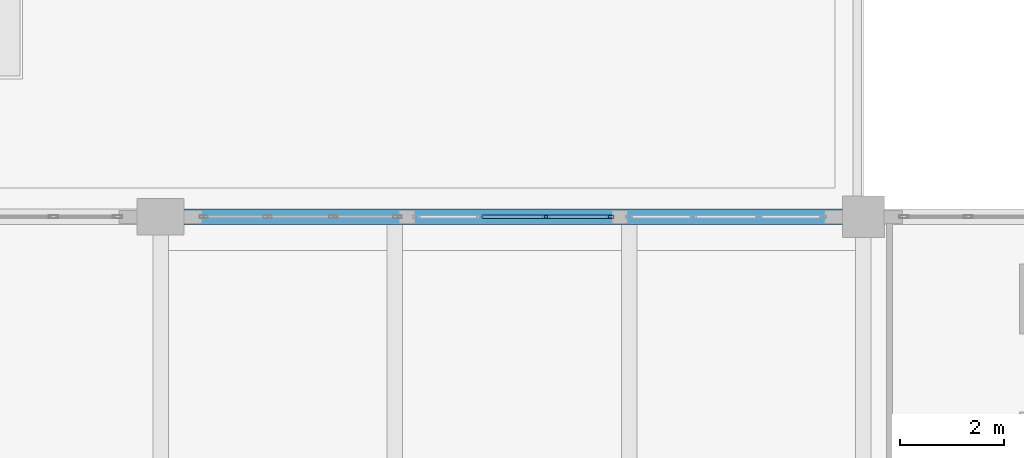
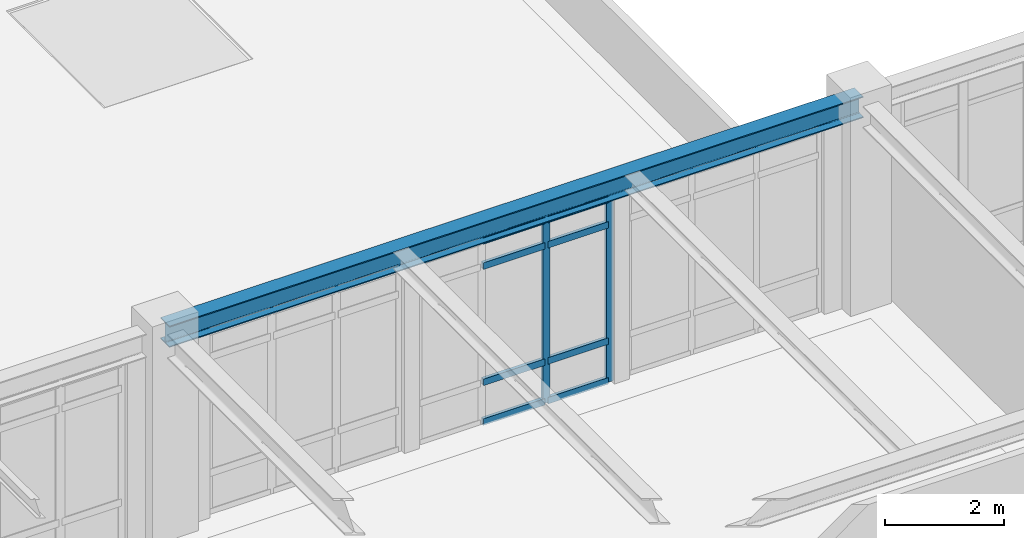
# One storey, part 31 of 55: 10 members, 1 beam, 1 element without a shape of its own.
"""IFC4 building model written with IfcOpenShell, lengths in metres."""

from ifc_helpers import new_model, si_unit, direction, frame, origin, origin_2d, place, context, subcontext, project, spatial, hollow_rectangle, i_section, extrude, material, layer, layer_set, material_profile, profile_set, type_object, element, aggregate, save


model = new_model("IFC4")

# Units and contexts
model_context = context("Model", 3, precision=1e-05, world=origin(), true_north=direction((0.0, 1.0)))
body_context = subcontext(model_context, "Body", "Model", "MODEL_VIEW")
ifc_project = project(units=[si_unit("LENGTHUNIT", "METRE"), si_unit("AREAUNIT", "SQUARE_METRE"), si_unit("VOLUMEUNIT", "CUBIC_METRE"), si_unit("PLANEANGLEUNIT", "RADIAN"), si_unit("MASSUNIT", "GRAM", prefix="KILO")], contexts=[model_context])

# Site, building, storey
site_placement = place(None, origin())
site = spatial("IfcSite", under=ifc_project, at=site_placement, CompositionType="ELEMENT")
building_placement = place(site_placement, origin())
building = spatial("IfcBuilding", under=site, at=building_placement, Name="Fikremerkos Civic Library", CompositionType="ELEMENT")
storey_placement = place(building_placement, frame((0.0, 0.0, 18.89990234375)))
storey = spatial("IfcBuildingStorey", under=building, at=storey_placement, Name="L04", CompositionType="ELEMENT", Elevation=18.89990234375)

# Curtain wall, members
ifc_material_1 = material(Name="Anodized aluminium Frame", Category="aluminium")
ifc_layer = layer(ifc_material_1, 0.159912109375, Name="Anodized aluminium Frame")
ifc_layer_set = layer_set([ifc_layer], Name="Anodized aluminium Frame")
curtain_wall_type = type_object("IfcCurtainWallType", Name="Unitised curtain wall CW-11 3200x3400", PredefinedType="USERDEFINED", material=ifc_layer_set)
curtain_wall_placement = place(storey_placement, origin())
curtain_wall = element("IfcCurtainWall", 1, at=curtain_wall_placement, inside=storey, type_object=curtain_wall_type, Name="Unitised curtain wall CW-11 L04 #245", ObjectType="UNITISED CURTAIN WALL", PredefinedType="USERDEFINED")
ifc_material_profile_1 = material_profile(ifc_material_1, hollow_rectangle(XDim=0.06005859375, YDim=0.139892578125, WallThickness=0.00390625, at=origin_2d()), Name="ALU 140x60x4")
ifc_profile_set_1 = profile_set([ifc_material_profile_1], Name="Anodized aluminium Frame")
member_type_1 = type_object("IfcMemberType", Name="Curtain mullion CWM-03 ALU 140x60x4", PredefinedType="MULLION", material=ifc_profile_set_1)
member_1_placement = place(storey_placement, frame((94.105712890625, 31.199951171875, 0.0), z_axis=(0.0, 0.0, 1.0), x_axis=(0.0, 1.0, 0.0)))
member_1 = element("IfcMember", 2, at=member_1_placement, type_object=member_type_1, Name="CW-11 mullion 3", PredefinedType="MULLION", context=body_context, shape_type="SweptSolid", body=[
    extrude(hollow_rectangle(XDim=0.06005859375, YDim=0.139892578125, WallThickness=0.00390625, at=origin_2d()), origin(), (0.0, 0.0, 1.0), 3.7900390625),
])
member_2_placement = place(storey_placement, frame((95.33740234375, 31.199951171875, 0.0), z_axis=(0.0, 0.0, 1.0), x_axis=(0.0, 1.0, 0.0)))
member_2 = element("IfcMember", 3, at=member_2_placement, type_object=member_type_1, Name="CW-11 mullion 4", PredefinedType="MULLION", context=body_context, shape_type="SweptSolid", body=[
    extrude(hollow_rectangle(XDim=0.06005859375, YDim=0.139892578125, WallThickness=0.00390625, at=origin_2d()), origin(), (0.0, 0.0, 1.0), 3.7900390625),
])
ifc_material_profile_2 = material_profile(ifc_material_1, hollow_rectangle(XDim=0.06494140625, YDim=0.135009765625, WallThickness=0.00439453125, at=origin_2d()), Name="ALU 135x65x4.5")
ifc_profile_set_2 = profile_set([ifc_material_profile_2], Name="Anodized aluminium Frame")
member_type_2 = type_object("IfcMemberType", Name="Curtain transom CWT-02 ALU 135x65x4.5", PredefinedType="USERDEFINED", material=ifc_profile_set_2)
member_3_placement = place(storey_placement, frame((92.874267578125, 31.199951171875, 0.03271484375), z_axis=(1.0, 0.0, 0.0), x_axis=(0.0, 1.0, 0.0)))
member_3 = element("IfcMember", 4, at=member_3_placement, type_object=member_type_2, Name="CW-11 transom 2.1", ObjectType="TRANSOM", PredefinedType="USERDEFINED", context=body_context, shape_type="SweptSolid", body=[
    extrude(hollow_rectangle(XDim=0.06494140625, YDim=0.135009765625, WallThickness=0.00439453125, at=origin_2d()), origin(), (0.0, 0.0, 1.0), 1.201416015625),
])
member_4_placement = place(storey_placement, frame((92.874267578125, 31.199951171875, 0.85009765625), z_axis=(1.0, 0.0, 0.0), x_axis=(0.0, 1.0, 0.0)))
member_4 = element("IfcMember", 5, at=member_4_placement, type_object=member_type_2, Name="CW-11 transom 2.2", ObjectType="TRANSOM", PredefinedType="USERDEFINED", context=body_context, shape_type="SweptSolid", body=[
    extrude(hollow_rectangle(XDim=0.06494140625, YDim=0.135009765625, WallThickness=0.00439453125, at=origin_2d()), origin(), (0.0, 0.0, 1.0), 1.201416015625),
])
member_5_placement = place(storey_placement, frame((92.874267578125, 31.199951171875, 3.239990234375), z_axis=(1.0, 0.0, 0.0), x_axis=(0.0, 1.0, 0.0)))
member_5 = element("IfcMember", 6, at=member_5_placement, type_object=member_type_2, Name="CW-11 transom 2.3", ObjectType="TRANSOM", PredefinedType="USERDEFINED", context=body_context, shape_type="SweptSolid", body=[
    extrude(hollow_rectangle(XDim=0.06494140625, YDim=0.135009765625, WallThickness=0.00439453125, at=origin_2d()), origin(), (0.0, 0.0, 1.0), 1.201416015625),
])
member_6_placement = place(storey_placement, frame((92.874267578125, 31.199951171875, 3.757568359375), z_axis=(1.0, 0.0, 0.0), x_axis=(0.0, 1.0, 0.0)))
member_6 = element("IfcMember", 7, at=member_6_placement, type_object=member_type_2, Name="CW-11 transom 2.4", ObjectType="TRANSOM", PredefinedType="USERDEFINED", context=body_context, shape_type="SweptSolid", body=[
    extrude(hollow_rectangle(XDim=0.06494140625, YDim=0.135009765625, WallThickness=0.00439453125, at=origin_2d()), origin(), (0.0, 0.0, 1.0), 1.201416015625),
])
member_7_placement = place(storey_placement, frame((94.1357421875, 31.199951171875, 0.03271484375), z_axis=(1.0, 0.0, 0.0), x_axis=(0.0, 1.0, 0.0)))
member_7 = element("IfcMember", 8, at=member_7_placement, type_object=member_type_2, Name="CW-11 transom 3.1", ObjectType="TRANSOM", PredefinedType="USERDEFINED", context=body_context, shape_type="SweptSolid", body=[
    extrude(hollow_rectangle(XDim=0.06494140625, YDim=0.135009765625, WallThickness=0.00439453125, at=origin_2d()), origin(), (0.0, 0.0, 1.0), 1.171630859375),
])
member_8_placement = place(storey_placement, frame((94.1357421875, 31.199951171875, 0.85009765625), z_axis=(1.0, 0.0, 0.0), x_axis=(0.0, 1.0, 0.0)))
member_8 = element("IfcMember", 9, at=member_8_placement, type_object=member_type_2, Name="CW-11 transom 3.2", ObjectType="TRANSOM", PredefinedType="USERDEFINED", context=body_context, shape_type="SweptSolid", body=[
    extrude(hollow_rectangle(XDim=0.06494140625, YDim=0.135009765625, WallThickness=0.00439453125, at=origin_2d()), origin(), (0.0, 0.0, 1.0), 1.171630859375),
])
member_9_placement = place(storey_placement, frame((94.1357421875, 31.199951171875, 3.239990234375), z_axis=(1.0, 0.0, 0.0), x_axis=(0.0, 1.0, 0.0)))
member_9 = element("IfcMember", 10, at=member_9_placement, type_object=member_type_2, Name="CW-11 transom 3.3", ObjectType="TRANSOM", PredefinedType="USERDEFINED", context=body_context, shape_type="SweptSolid", body=[
    extrude(hollow_rectangle(XDim=0.06494140625, YDim=0.135009765625, WallThickness=0.00439453125, at=origin_2d()), origin(), (0.0, 0.0, 1.0), 1.171630859375),
])
member_10_placement = place(storey_placement, frame((94.1357421875, 31.199951171875, 3.757568359375), z_axis=(1.0, 0.0, 0.0), x_axis=(0.0, 1.0, 0.0)))
member_10 = element("IfcMember", 11, at=member_10_placement, type_object=member_type_2, Name="CW-11 transom 3.4", ObjectType="TRANSOM", PredefinedType="USERDEFINED", context=body_context, shape_type="SweptSolid", body=[
    extrude(hollow_rectangle(XDim=0.06494140625, YDim=0.135009765625, WallThickness=0.00439453125, at=origin_2d()), origin(), (0.0, 0.0, 1.0), 1.171630859375),
])
aggregate(curtain_wall, [member_1, member_2, member_3, member_4, member_5, member_6, member_7, member_8, member_9, member_10])

# Beam
ifc_material_2 = material(Name="Steel S355", Category="steel")
ifc_material_profile_3 = material_profile(ifc_material_2, i_section(OverallWidth=0.300048828125, OverallDepth=0.43994140625, WebThickness=0.011474609375, FlangeThickness=0.02099609375, FilletRadius=0.027099609375, at=origin_2d()), Name="HEA 450")
ifc_profile_set_3 = profile_set([ifc_material_profile_3], Name="Steel S355")
beam_type = type_object("IfcBeamType", Name="Primary girder BM-18 HEA 450", PredefinedType="BEAM", material=ifc_profile_set_3)
beam_placement = place(storey_placement, frame((86.699951171875, 31.199951171875, 4.02001953125), z_axis=(1.0, 0.0, 0.0), x_axis=(0.0, 1.0, 0.0)))
element("IfcBeam", 12, at=beam_placement, inside=storey, type_object=beam_type, Name="Primary girder BM-18 L04 grid G", PredefinedType="BEAM", context=body_context, shape_type="SweptSolid", body=[
    extrude(i_section(OverallWidth=0.300048828125, OverallDepth=0.43994140625, WebThickness=0.011474609375, FlangeThickness=0.02099609375, FilletRadius=0.027099609375, at=origin_2d()), origin(), (0.0, 0.0, 1.0), 13.5),
])

save(model, "model.ifc")
